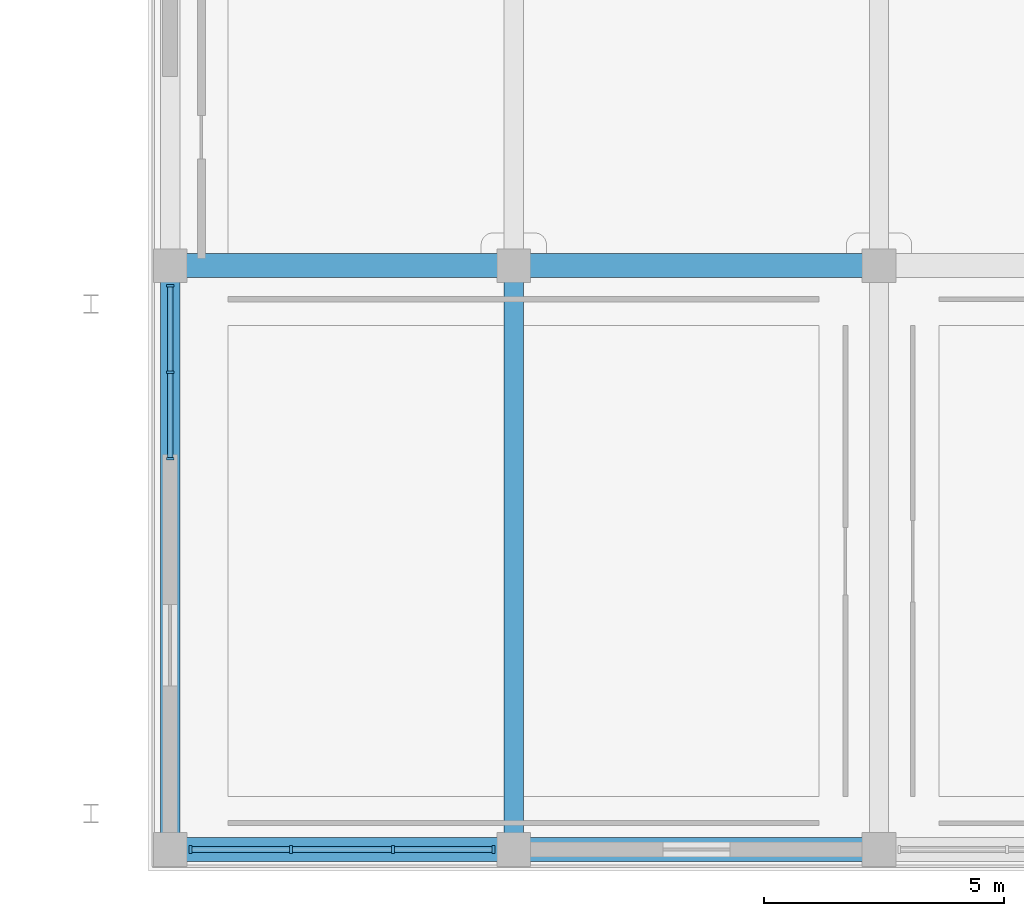
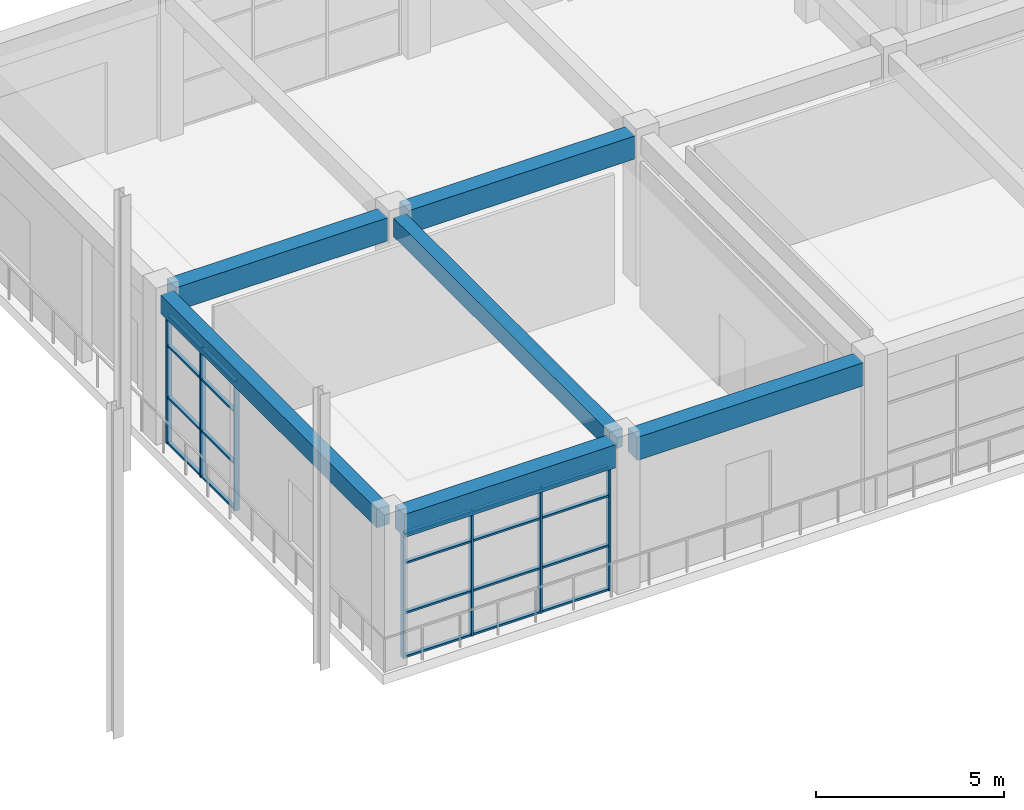
# One storey, part 25 of 99: 27 members, 6 beams, 2 elements without a shape of their own.
"""IFC4 building model written with IfcOpenShell, lengths in metres."""

from ifc_helpers import new_model, si_unit, direction, frame, origin, origin_2d, place, context, subcontext, project, spatial, rectangle, extrude, material, material_profile, profile_set, type_object, element, aggregate, save


model = new_model("IFC4")

# Units and contexts
model_context = context("Model", 3, precision=1e-05, world=origin(), true_north=direction((0.0, 1.0)))
body_context = subcontext(model_context, "Body", "Model", "MODEL_VIEW")
ifc_project = project(units=[si_unit("LENGTHUNIT", "METRE"), si_unit("AREAUNIT", "SQUARE_METRE"), si_unit("VOLUMEUNIT", "CUBIC_METRE"), si_unit("PLANEANGLEUNIT", "RADIAN"), si_unit("MASSUNIT", "GRAM", prefix="KILO")], contexts=[model_context])

# Site, building, storey
site_placement = place(None, origin())
site = spatial("IfcSite", under=ifc_project, at=site_placement, CompositionType="ELEMENT")
building_placement = place(site_placement, origin())
building = spatial("IfcBuilding", under=site, at=building_placement, Name="Saryqyr Civic Hall", CompositionType="ELEMENT")
storey_placement = place(building_placement, origin())
storey = spatial("IfcBuildingStorey", under=building, at=storey_placement, Name="L00", CompositionType="ELEMENT", Elevation=0.0)

# Curtain wall, members
ifc_material_1 = material(Name="Anodised aluminium and triple low-E glass", Category="aluminium")
curtain_wall_type_1 = type_object("IfcCurtainWallType", Name="ENV-CW-STD-60", PredefinedType="NOTDEFINED", material=ifc_material_1)
curtain_wall_1_placement = place(storey_placement, origin())
curtain_wall_1 = element("IfcCurtainWall", 1, at=curtain_wall_1_placement, inside=storey, type_object=curtain_wall_type_1, Name="Curtain wall V7E-CW-L00-0-3", PredefinedType="NOTDEFINED")
ifc_material_2 = material(Name="Anodised aluminium", Category="aluminium")
ifc_material_profile_1 = material_profile(ifc_material_2, rectangle(XDim=0.06005859375, YDim=0.159912109375, at=origin_2d()), Name="ALU MULLION 60x160")
ifc_profile_set_1 = profile_set([ifc_material_profile_1], Name="Anodised aluminium")
member_type_1 = type_object("IfcMemberType", Name="ENV-CW-MUL-180", PredefinedType="MULLION", material=ifc_profile_set_1)
member_1_placement = place(storey_placement, frame((90.780029296875, 0.449951171875, 0.0), z_axis=(0.0, 0.0, 1.0), x_axis=(-1.0, 0.0, 0.0)))
member_1 = element("IfcMember", 2, at=member_1_placement, type_object=member_type_1, Name="CW-60 mullion 1", PredefinedType="MULLION", context=body_context, shape_type="SweptSolid", body=[
    extrude(rectangle(XDim=0.06005859375, YDim=0.159912109375, at=origin_2d()), origin(), (0.0, 0.0, 1.0), 4.044921875),
])
member_2_placement = place(storey_placement, frame((88.686767578125, 0.449951171875, 0.0), z_axis=(0.0, 0.0, 1.0), x_axis=(-1.0, 0.0, 0.0)))
member_2 = element("IfcMember", 3, at=member_2_placement, type_object=member_type_1, Name="CW-60 mullion 2", PredefinedType="MULLION", context=body_context, shape_type="SweptSolid", body=[
    extrude(rectangle(XDim=0.06005859375, YDim=0.159912109375, at=origin_2d()), origin(), (0.0, 0.0, 1.0), 4.044921875),
])
member_3_placement = place(storey_placement, frame((86.563232421875, 0.449951171875, 0.0), z_axis=(0.0, 0.0, 1.0), x_axis=(-1.0, 0.0, 0.0)))
member_3 = element("IfcMember", 4, at=member_3_placement, type_object=member_type_1, Name="CW-60 mullion 3", PredefinedType="MULLION", context=body_context, shape_type="SweptSolid", body=[
    extrude(rectangle(XDim=0.06005859375, YDim=0.159912109375, at=origin_2d()), origin(), (0.0, 0.0, 1.0), 4.044921875),
])
member_4_placement = place(storey_placement, frame((84.469970703125, 0.449951171875, 0.0), z_axis=(0.0, 0.0, 1.0), x_axis=(-1.0, 0.0, 0.0)))
member_4 = element("IfcMember", 5, at=member_4_placement, type_object=member_type_1, Name="CW-60 mullion 4", PredefinedType="MULLION", context=body_context, shape_type="SweptSolid", body=[
    extrude(rectangle(XDim=0.06005859375, YDim=0.159912109375, at=origin_2d()), origin(), (0.0, 0.0, 1.0), 4.044921875),
])

curtain_wall_type_2 = type_object("IfcCurtainWallType", Name="ENV-CW-STD-09", PredefinedType="NOTDEFINED", material=ifc_material_1)
curtain_wall_2_placement = place(storey_placement, origin())
curtain_wall_2 = element("IfcCurtainWall", 6, at=curtain_wall_2_placement, inside=storey, type_object=curtain_wall_type_2, Name="Curtain wall V7E-CW-L00-3-1", PredefinedType="NOTDEFINED")
member_5_placement = place(storey_placement, frame((84.050048828125, 8.580078125, 0.0), z_axis=(0.0, 0.0, 1.0), x_axis=(0.0, 1.0, 0.0)))
member_5 = element("IfcMember", 7, at=member_5_placement, type_object=member_type_1, Name="CW-09 mullion 1", PredefinedType="MULLION", context=body_context, shape_type="SweptSolid", body=[
    extrude(rectangle(XDim=0.06005859375, YDim=0.159912109375, at=origin_2d()), origin(), (0.0, 0.0, 1.0), 4.195068359375),
])
member_6_placement = place(storey_placement, frame((84.050048828125, 10.3798828125, 0.0), z_axis=(0.0, 0.0, 1.0), x_axis=(0.0, 1.0, 0.0)))
member_6 = element("IfcMember", 8, at=member_6_placement, type_object=member_type_1, Name="CW-09 mullion 2", PredefinedType="MULLION", context=body_context, shape_type="SweptSolid", body=[
    extrude(rectangle(XDim=0.06005859375, YDim=0.159912109375, at=origin_2d()), origin(), (0.0, 0.0, 1.0), 4.195068359375),
])
member_7_placement = place(storey_placement, frame((84.050048828125, 12.179931640625, 0.0), z_axis=(0.0, 0.0, 1.0), x_axis=(0.0, 1.0, 0.0)))
member_7 = element("IfcMember", 9, at=member_7_placement, type_object=member_type_1, Name="CW-09 mullion 3", PredefinedType="MULLION", context=body_context, shape_type="SweptSolid", body=[
    extrude(rectangle(XDim=0.06005859375, YDim=0.159912109375, at=origin_2d()), origin(), (0.0, 0.0, 1.0), 4.195068359375),
])

# Member
ifc_material_profile_2 = material_profile(ifc_material_2, rectangle(XDim=0.1201171875, YDim=0.06005859375, at=origin_2d()), Name="ALU TRANSOM 120x60")
ifc_profile_set_2 = profile_set([ifc_material_profile_2], Name="Anodised aluminium")
member_type_2 = type_object("IfcMemberType", Name="ENV-CW-TRN-150", PredefinedType="USERDEFINED", material=ifc_profile_set_2)
member_8_placement = place(storey_placement, frame((90.75, 0.449951171875, 0.030029296875), z_axis=(-1.0, 0.0, 0.0), x_axis=(0.0, -1.0, 0.0)))
member_8 = element("IfcMember", 10, at=member_8_placement, type_object=member_type_2, Name="CW-60 transom 1.1", ObjectType="TRANSOM", PredefinedType="USERDEFINED", context=body_context, shape_type="SweptSolid", body=[
    extrude(rectangle(XDim=0.1201171875, YDim=0.06005859375, at=origin_2d()), origin(), (0.0, 0.0, 1.0), 2.033447265625),
])

member_9_placement = place(storey_placement, frame((90.75, 0.449951171875, 1.4560546875), z_axis=(-1.0, 0.0, 0.0), x_axis=(0.0, -1.0, 0.0)))
member_9 = element("IfcMember", 11, at=member_9_placement, type_object=member_type_2, Name="CW-60 transom 1.2", ObjectType="TRANSOM", PredefinedType="USERDEFINED", context=body_context, shape_type="SweptSolid", body=[
    extrude(rectangle(XDim=0.1201171875, YDim=0.06005859375, at=origin_2d()), origin(), (0.0, 0.0, 1.0), 2.033447265625),
])

member_10_placement = place(storey_placement, frame((90.75, 0.449951171875, 3.073974609375), z_axis=(-1.0, 0.0, 0.0), x_axis=(0.0, -1.0, 0.0)))
member_10 = element("IfcMember", 12, at=member_10_placement, type_object=member_type_2, Name="CW-60 transom 1.3", ObjectType="TRANSOM", PredefinedType="USERDEFINED", context=body_context, shape_type="SweptSolid", body=[
    extrude(rectangle(XDim=0.1201171875, YDim=0.06005859375, at=origin_2d()), origin(), (0.0, 0.0, 1.0), 2.033447265625),
])

member_11_placement = place(storey_placement, frame((90.75, 0.449951171875, 4.014892578125), z_axis=(-1.0, 0.0, 0.0), x_axis=(0.0, -1.0, 0.0)))
member_11 = element("IfcMember", 13, at=member_11_placement, type_object=member_type_2, Name="CW-60 transom 1.4", ObjectType="TRANSOM", PredefinedType="USERDEFINED", context=body_context, shape_type="SweptSolid", body=[
    extrude(rectangle(XDim=0.1201171875, YDim=0.06005859375, at=origin_2d()), origin(), (0.0, 0.0, 1.0), 2.033447265625),
])

member_12_placement = place(storey_placement, frame((88.65673828125, 0.449951171875, 0.030029296875), z_axis=(-1.0, 0.0, 0.0), x_axis=(0.0, -1.0, 0.0)))
member_12 = element("IfcMember", 14, at=member_12_placement, type_object=member_type_2, Name="CW-60 transom 2.1", ObjectType="TRANSOM", PredefinedType="USERDEFINED", context=body_context, shape_type="SweptSolid", body=[
    extrude(rectangle(XDim=0.1201171875, YDim=0.06005859375, at=origin_2d()), origin(), (0.0, 0.0, 1.0), 2.0634765625),
])

member_13_placement = place(storey_placement, frame((88.65673828125, 0.449951171875, 1.4560546875), z_axis=(-1.0, 0.0, 0.0), x_axis=(0.0, -1.0, 0.0)))
member_13 = element("IfcMember", 15, at=member_13_placement, type_object=member_type_2, Name="CW-60 transom 2.2", ObjectType="TRANSOM", PredefinedType="USERDEFINED", context=body_context, shape_type="SweptSolid", body=[
    extrude(rectangle(XDim=0.1201171875, YDim=0.06005859375, at=origin_2d()), origin(), (0.0, 0.0, 1.0), 2.0634765625),
])

member_14_placement = place(storey_placement, frame((88.65673828125, 0.449951171875, 3.073974609375), z_axis=(-1.0, 0.0, 0.0), x_axis=(0.0, -1.0, 0.0)))
member_14 = element("IfcMember", 16, at=member_14_placement, type_object=member_type_2, Name="CW-60 transom 2.3", ObjectType="TRANSOM", PredefinedType="USERDEFINED", context=body_context, shape_type="SweptSolid", body=[
    extrude(rectangle(XDim=0.1201171875, YDim=0.06005859375, at=origin_2d()), origin(), (0.0, 0.0, 1.0), 2.0634765625),
])

member_15_placement = place(storey_placement, frame((88.65673828125, 0.449951171875, 4.014892578125), z_axis=(-1.0, 0.0, 0.0), x_axis=(0.0, -1.0, 0.0)))
member_15 = element("IfcMember", 17, at=member_15_placement, type_object=member_type_2, Name="CW-60 transom 2.4", ObjectType="TRANSOM", PredefinedType="USERDEFINED", context=body_context, shape_type="SweptSolid", body=[
    extrude(rectangle(XDim=0.1201171875, YDim=0.06005859375, at=origin_2d()), origin(), (0.0, 0.0, 1.0), 2.0634765625),
])

member_16_placement = place(storey_placement, frame((86.533447265625, 0.449951171875, 0.030029296875), z_axis=(-1.0, 0.0, 0.0), x_axis=(0.0, -1.0, 0.0)))
member_16 = element("IfcMember", 18, at=member_16_placement, type_object=member_type_2, Name="CW-60 transom 3.1", ObjectType="TRANSOM", PredefinedType="USERDEFINED", context=body_context, shape_type="SweptSolid", body=[
    extrude(rectangle(XDim=0.1201171875, YDim=0.06005859375, at=origin_2d()), origin(), (0.0, 0.0, 1.0), 2.033447265625),
])

member_17_placement = place(storey_placement, frame((86.533447265625, 0.449951171875, 1.4560546875), z_axis=(-1.0, 0.0, 0.0), x_axis=(0.0, -1.0, 0.0)))
member_17 = element("IfcMember", 19, at=member_17_placement, type_object=member_type_2, Name="CW-60 transom 3.2", ObjectType="TRANSOM", PredefinedType="USERDEFINED", context=body_context, shape_type="SweptSolid", body=[
    extrude(rectangle(XDim=0.1201171875, YDim=0.06005859375, at=origin_2d()), origin(), (0.0, 0.0, 1.0), 2.033447265625),
])

member_18_placement = place(storey_placement, frame((86.533447265625, 0.449951171875, 3.073974609375), z_axis=(-1.0, 0.0, 0.0), x_axis=(0.0, -1.0, 0.0)))
member_18 = element("IfcMember", 20, at=member_18_placement, type_object=member_type_2, Name="CW-60 transom 3.3", ObjectType="TRANSOM", PredefinedType="USERDEFINED", context=body_context, shape_type="SweptSolid", body=[
    extrude(rectangle(XDim=0.1201171875, YDim=0.06005859375, at=origin_2d()), origin(), (0.0, 0.0, 1.0), 2.033447265625),
])

member_19_placement = place(storey_placement, frame((86.533447265625, 0.449951171875, 4.014892578125), z_axis=(-1.0, 0.0, 0.0), x_axis=(0.0, -1.0, 0.0)))
member_19 = element("IfcMember", 21, at=member_19_placement, type_object=member_type_2, Name="CW-60 transom 3.4", ObjectType="TRANSOM", PredefinedType="USERDEFINED", context=body_context, shape_type="SweptSolid", body=[
    extrude(rectangle(XDim=0.1201171875, YDim=0.06005859375, at=origin_2d()), origin(), (0.0, 0.0, 1.0), 2.033447265625),
])

aggregate(curtain_wall_1, [member_1, member_2, member_3, member_4, member_8, member_9, member_10, member_11, member_12, member_13, member_14, member_15, member_16, member_17, member_18, member_19])

member_20_placement = place(storey_placement, frame((84.050048828125, 8.610107421875, 0.030029296875), z_axis=(0.0, 1.0, 0.0), x_axis=(-1.0, 0.0, 0.0)))
member_20 = element("IfcMember", 22, at=member_20_placement, type_object=member_type_2, Name="CW-09 transom 1.1", ObjectType="TRANSOM", PredefinedType="USERDEFINED", context=body_context, shape_type="SweptSolid", body=[
    extrude(rectangle(XDim=0.1201171875, YDim=0.06005859375, at=origin_2d()), origin(), (0.0, 0.0, 1.0), 1.739990234375),
])

member_21_placement = place(storey_placement, frame((84.050048828125, 8.610107421875, 1.510009765625), z_axis=(0.0, 1.0, 0.0), x_axis=(-1.0, 0.0, 0.0)))
member_21 = element("IfcMember", 23, at=member_21_placement, type_object=member_type_2, Name="CW-09 transom 1.2", ObjectType="TRANSOM", PredefinedType="USERDEFINED", context=body_context, shape_type="SweptSolid", body=[
    extrude(rectangle(XDim=0.1201171875, YDim=0.06005859375, at=origin_2d()), origin(), (0.0, 0.0, 1.0), 1.739990234375),
])

member_22_placement = place(storey_placement, frame((84.050048828125, 8.610107421875, 3.18798828125), z_axis=(0.0, 1.0, 0.0), x_axis=(-1.0, 0.0, 0.0)))
member_22 = element("IfcMember", 24, at=member_22_placement, type_object=member_type_2, Name="CW-09 transom 1.3", ObjectType="TRANSOM", PredefinedType="USERDEFINED", context=body_context, shape_type="SweptSolid", body=[
    extrude(rectangle(XDim=0.1201171875, YDim=0.06005859375, at=origin_2d()), origin(), (0.0, 0.0, 1.0), 1.739990234375),
])

member_23_placement = place(storey_placement, frame((84.050048828125, 8.610107421875, 4.1650390625), z_axis=(0.0, 1.0, 0.0), x_axis=(-1.0, 0.0, 0.0)))
member_23 = element("IfcMember", 25, at=member_23_placement, type_object=member_type_2, Name="CW-09 transom 1.4", ObjectType="TRANSOM", PredefinedType="USERDEFINED", context=body_context, shape_type="SweptSolid", body=[
    extrude(rectangle(XDim=0.1201171875, YDim=0.06005859375, at=origin_2d()), origin(), (0.0, 0.0, 1.0), 1.739990234375),
])

member_24_placement = place(storey_placement, frame((84.050048828125, 10.409912109375, 0.030029296875), z_axis=(0.0, 1.0, 0.0), x_axis=(-1.0, 0.0, 0.0)))
member_24 = element("IfcMember", 26, at=member_24_placement, type_object=member_type_2, Name="CW-09 transom 2.1", ObjectType="TRANSOM", PredefinedType="USERDEFINED", context=body_context, shape_type="SweptSolid", body=[
    extrude(rectangle(XDim=0.1201171875, YDim=0.06005859375, at=origin_2d()), origin(), (0.0, 0.0, 1.0), 1.739990234375),
])

member_25_placement = place(storey_placement, frame((84.050048828125, 10.409912109375, 1.510009765625), z_axis=(0.0, 1.0, 0.0), x_axis=(-1.0, 0.0, 0.0)))
member_25 = element("IfcMember", 27, at=member_25_placement, type_object=member_type_2, Name="CW-09 transom 2.2", ObjectType="TRANSOM", PredefinedType="USERDEFINED", context=body_context, shape_type="SweptSolid", body=[
    extrude(rectangle(XDim=0.1201171875, YDim=0.06005859375, at=origin_2d()), origin(), (0.0, 0.0, 1.0), 1.739990234375),
])

member_26_placement = place(storey_placement, frame((84.050048828125, 10.409912109375, 3.18798828125), z_axis=(0.0, 1.0, 0.0), x_axis=(-1.0, 0.0, 0.0)))
member_26 = element("IfcMember", 28, at=member_26_placement, type_object=member_type_2, Name="CW-09 transom 2.3", ObjectType="TRANSOM", PredefinedType="USERDEFINED", context=body_context, shape_type="SweptSolid", body=[
    extrude(rectangle(XDim=0.1201171875, YDim=0.06005859375, at=origin_2d()), origin(), (0.0, 0.0, 1.0), 1.739990234375),
])

member_27_placement = place(storey_placement, frame((84.050048828125, 10.409912109375, 4.1650390625), z_axis=(0.0, 1.0, 0.0), x_axis=(-1.0, 0.0, 0.0)))
member_27 = element("IfcMember", 29, at=member_27_placement, type_object=member_type_2, Name="CW-09 transom 2.4", ObjectType="TRANSOM", PredefinedType="USERDEFINED", context=body_context, shape_type="SweptSolid", body=[
    extrude(rectangle(XDim=0.1201171875, YDim=0.06005859375, at=origin_2d()), origin(), (0.0, 0.0, 1.0), 1.739990234375),
])

aggregate(curtain_wall_2, [member_5, member_6, member_7, member_20, member_21, member_22, member_23, member_24, member_25, member_26, member_27])

# Beams
ifc_material_3 = material(Name="Concrete C35/45", Category="concrete")
ifc_material_profile_3 = material_profile(ifc_material_3, rectangle(XDim=0.39990234375, YDim=0.60009765625, at=origin_2d()), Name="RC 400x600")
ifc_profile_set_3 = profile_set([ifc_material_profile_3], Name="Concrete C35/45")
beam_type_1 = type_object("IfcBeamType", Name="STR-BM-RC400x600", PredefinedType="BEAM", material=ifc_profile_set_3)
for number, where, z_axis, x_axis, name in (
    (30, (84.050048828125, 0.77490234375, 4.52001953125), (0.0, 1.0, 0.0), (-1.0, 0.0, 0.0), "Beam V7E-BM-NS11-L00"),
    (31, (91.199951171875, 0.77490234375, 4.52001953125), (0.0, 1.0, 0.0), (-1.0, 0.0, 0.0), "Beam V7E-BM-NS21-L00"),
):
    element("IfcBeam", number, at=place(storey_placement, frame(where, z_axis=z_axis, x_axis=x_axis)), inside=storey, type_object=beam_type_1, Name=name, PredefinedType="BEAM", context=body_context, shape_type="SweptSolid", body=[
        extrude(rectangle(XDim=0.39990234375, YDim=0.60009765625, at=origin_2d()), origin(), (0.0, 0.0, 1.0), 11.5),
    ])
ifc_material_4 = material(Name="Concrete C40/50", Category="concrete")
ifc_material_profile_4 = material_profile(ifc_material_4, rectangle(XDim=0.5, YDim=0.75, at=origin_2d()), Name="RC 500x750")
ifc_profile_set_4 = profile_set([ifc_material_profile_4], Name="Concrete C40/50")
beam_type_2 = type_object("IfcBeamType", Name="STR-BM-RC500x750", PredefinedType="BEAM", material=ifc_profile_set_4)
beam_1_placement = place(storey_placement, frame((84.375, 0.449951171875, 4.445068359375), z_axis=(1.0, 0.0, 0.0), x_axis=(0.0, 1.0, 0.0)))
element("IfcBeam", 32, at=beam_1_placement, inside=storey, type_object=beam_type_2, Name="Beam V7E-BM-EW11-L00", PredefinedType="BEAM", context=body_context, shape_type="SweptSolid", body=[
    extrude(rectangle(XDim=0.5, YDim=0.75, at=origin_2d()), origin(), (0.0, 0.0, 1.0), 6.5),
])
beam_2_placement = place(storey_placement, frame((91.52490234375, 0.449951171875, 4.445068359375), z_axis=(1.0, 0.0, 0.0), x_axis=(0.0, 1.0, 0.0)))
element("IfcBeam", 33, at=beam_2_placement, inside=storey, type_object=beam_type_2, Name="Beam V7E-BM-EW12-L00", PredefinedType="BEAM", context=body_context, shape_type="SweptSolid", body=[
    extrude(rectangle(XDim=0.5, YDim=0.75, at=origin_2d()), origin(), (0.0, 0.0, 1.0), 6.9501953125),
])
beam_3_placement = place(storey_placement, frame((84.375, 12.60009765625, 4.445068359375), z_axis=(1.0, 0.0, 0.0), x_axis=(0.0, 1.0, 0.0)))
element("IfcBeam", 34, at=beam_3_placement, inside=storey, type_object=beam_type_2, Name="Beam V7E-BM-EW21-L00", PredefinedType="BEAM", context=body_context, shape_type="SweptSolid", body=[
    extrude(rectangle(XDim=0.5, YDim=0.75, at=origin_2d()), origin(), (0.0, 0.0, 1.0), 6.5),
])
beam_4_placement = place(storey_placement, frame((91.52490234375, 12.60009765625, 4.445068359375), z_axis=(1.0, 0.0, 0.0), x_axis=(0.0, 1.0, 0.0)))
element("IfcBeam", 35, at=beam_4_placement, inside=storey, type_object=beam_type_2, Name="Beam V7E-BM-EW22-L00", PredefinedType="BEAM", context=body_context, shape_type="SweptSolid", body=[
    extrude(rectangle(XDim=0.5, YDim=0.75, at=origin_2d()), origin(), (0.0, 0.0, 1.0), 6.9501953125),
])

save(model, "model.ifc")
